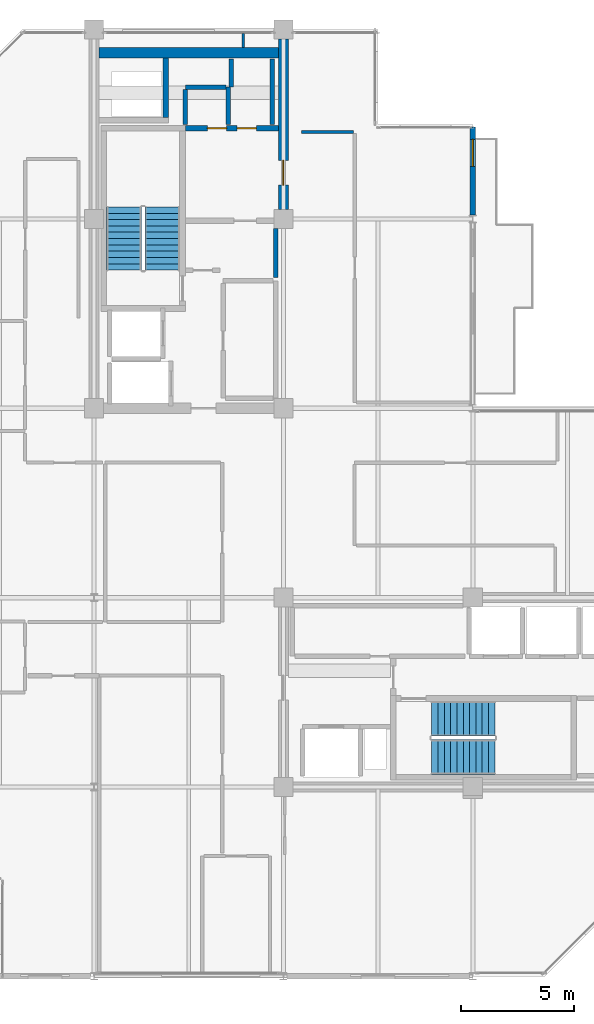
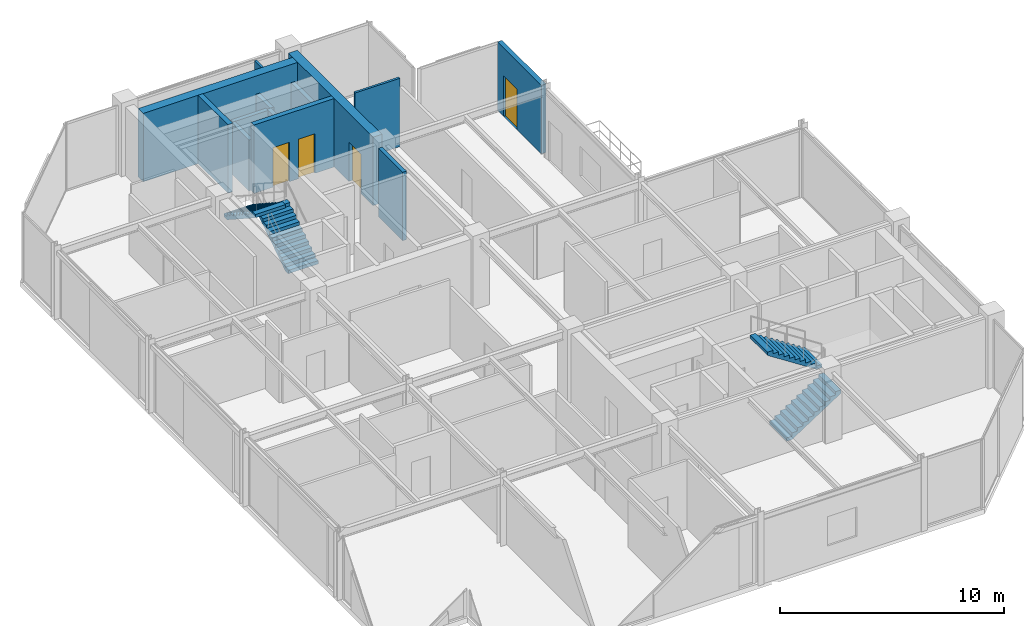
# One storey, part 22 of 24: 13 walls, 4 doors, 4 stair flights, 4 openings, 2 elements without a shape of their own.
"""IFC4 building model written with IfcOpenShell, lengths in metres."""

from ifc_helpers import new_model, si_unit, direction, frame, frame_2d, origin, place, context, subcontext, project, spatial, polyline, rectangle, outline, extrude, material, layer, layer_set, type_object, element, fill, aggregate, save


model = new_model("IFC4")

# Units and contexts
model_context = context("Model", 3, precision=1e-05, world=origin(), true_north=direction((0.0, 1.0)))
body_context = subcontext(model_context, "Body", "Model", "MODEL_VIEW")
ifc_project = project(units=[si_unit("LENGTHUNIT", "METRE"), si_unit("AREAUNIT", "SQUARE_METRE"), si_unit("VOLUMEUNIT", "CUBIC_METRE"), si_unit("PLANEANGLEUNIT", "RADIAN"), si_unit("MASSUNIT", "GRAM", prefix="KILO")], contexts=[model_context])

# Site, building, storey
site_placement = place(None, origin())
site = spatial("IfcSite", under=ifc_project, at=site_placement, CompositionType="ELEMENT")
building_placement = place(site_placement, origin())
building = spatial("IfcBuilding", under=site, at=building_placement, Name="Nerrivon Quay Data Exchange", CompositionType="ELEMENT")
storey_placement = place(building_placement, frame((0.0, 0.0, 310.199951171875)))
storey = spatial("IfcBuildingStorey", under=building, at=storey_placement, Name="L74", CompositionType="ELEMENT", Elevation=310.199951171875)

# Wall, opening, door
ifc_material_1 = material(Name="Architectural terracotta precast concrete N50 (50 MPa)", Category="masonry")
ifc_layer_1 = layer(ifc_material_1, 0.239990234375)
ifc_layer_set_1 = layer_set([ifc_layer_1], Name="Architectural terracotta precast concrete N50 (50 MPa)")
wall_type_1 = type_object("IfcWallType", Name="EW-PREC-240", PredefinedType="STANDARD", material=ifc_layer_set_1)
wall_1_placement = place(storey_placement, frame((25.199951171875, 37.679931640625, 0.0), z_axis=(0.0, 0.0, 1.0), x_axis=(0.0, -1.0, 0.0)))
wall_1 = element("IfcWall", 1, at=wall_1_placement, inside=storey, type_object=wall_type_1, Name="L74 Terrace Host Wall 19", PredefinedType="STANDARD", context=body_context, shape_type="SweptSolid", body=[
    extrude(rectangle(XDim=3.91650390625, YDim=0.239990234375, at=frame_2d((1.958251953125, 0.0))), origin(), (0.0, 0.0, 1.0), 3.72509765625),
])
opening_1_placement = place(wall_1_placement, frame((0.550048828125, 0.0, 0.0)))
opening_1 = element("IfcOpeningElement", 2, at=opening_1_placement, cuts=wall_1, Name="Opening TD1", PredefinedType="OPENING", context=body_context, shape_type="SweptSolid", body=[
    extrude(rectangle(XDim=1.199951171875, YDim=2.199951171875, at=frame_2d((0.60009765625, 1.10009765625))), frame((0.0, 0.1298828125, 0.0), z_axis=(0.0, -1.0, 0.0), x_axis=(1.0, 0.0, 0.0)), (0.0, 0.0, 1.0), 0.260009765625),
])
ifc_material_2 = material(Name="Double-glazed low-E solar control glass", Category="glass")
door_type_1 = type_object("IfcDoorType", Name="DR-TERR-1200x2200", OperationType="NOTDEFINED", PredefinedType="DOOR", material=ifc_material_2)
door_1_placement = place(opening_1_placement, origin())
door_1 = element("IfcDoor", 3, at=door_1_placement, inside=storey, type_object=door_type_1, Name="L74 Outdoor Terrace Access Door 19", OperationType="SINGLE_SWING_RIGHT", OverallHeight=2.199951171875, OverallWidth=1.199951171875, PredefinedType="DOOR", context=body_context, shape_type="SweptSolid", body=[
    extrude(rectangle(XDim=1.199951171875, YDim=2.199951171875, at=frame_2d((0.60009765625, 1.10009765625))), frame((0.0, 0.02490234375, 0.0), z_axis=(0.0, -1.0, 0.0), x_axis=(1.0, 0.0, 0.0)), (0.0, 0.0, 1.0), 0.050048828125),
])
fill(opening_1, door_1)

# Wall
ifc_material_3 = material(Name="Concrete N50 (50 MPa)", Category="concrete")
ifc_layer_2 = layer(ifc_material_3, 0.449951171875)
ifc_layer_set_2 = layer_set([ifc_layer_2], Name="Concrete N50 (50 MPa)")
wall_type_2 = type_object("IfcWallType", Name="WALL-CW-550", PredefinedType="SHEAR", material=ifc_layer_set_2)
wall_2_placement = place(storey_placement, frame((8.625, 40.97509765625, 0.0), z_axis=(0.0, 0.0, 1.0), x_axis=(1.0, 0.0, 0.0)))
element("IfcWall", 4, at=wall_2_placement, inside=storey, type_object=wall_type_2, Name="L74 West Split-Core Shear Wall WCW-N1", PredefinedType="SHEAR", context=body_context, shape_type="SweptSolid", body=[
    extrude(rectangle(XDim=7.949951171875, YDim=0.449951171875, at=frame_2d((3.97509765625, 0.0))), origin(), (0.0, 0.0, 1.0), 3.72509765625),
])

# Wall, opening, door
wall_3_placement = place(storey_placement, frame((16.800048828125, 34.02490234375, 0.0), z_axis=(0.0, 0.0, 1.0), x_axis=(0.0, 1.0, 0.0)))
wall_3 = element("IfcWall", 5, at=wall_3_placement, inside=storey, type_object=wall_type_2, Name="L74 West Split-Core Shear Wall WCW-E1", PredefinedType="SHEAR", context=body_context, shape_type="SweptSolid", body=[
    extrude(rectangle(XDim=7.550048828125, YDim=0.449951171875, at=frame_2d((3.77490234375, 0.0))), origin(), (0.0, 0.0, 1.0), 3.72509765625),
])
opening_2_placement = place(wall_3_placement, frame((1.074951171875, 0.0, 0.0)))
opening_2 = element("IfcOpeningElement", 6, at=opening_2_placement, cuts=wall_3, Name="Opening FD-120", PredefinedType="OPENING", context=body_context, shape_type="SweptSolid", body=[
    extrude(rectangle(XDim=1.10009765625, YDim=2.14990234375, at=frame_2d((0.550048828125, 1.074951171875))), frame((0.0, 0.23486328125, 0.0), z_axis=(0.0, -1.0, 0.0), x_axis=(1.0, 0.0, 0.0)), (0.0, 0.0, 1.0), 0.469970703125),
])
ifc_material_4 = material(Name="Powder-coated galvanized steel sheet", Category="steel")
door_type_2 = type_object("IfcDoorType", Name="DR-FD120-1100", OperationType="NOTDEFINED", PredefinedType="DOOR", material=ifc_material_4)
door_2_placement = place(opening_2_placement, origin())
door_2 = element("IfcDoor", 7, at=door_2_placement, inside=storey, type_object=door_type_2, Name="L74 West Core Lobby Fire Door", OperationType="SINGLE_SWING_RIGHT", OverallHeight=2.14990234375, OverallWidth=1.10009765625, PredefinedType="DOOR", context=body_context, shape_type="SweptSolid", body=[
    extrude(rectangle(XDim=1.10009765625, YDim=2.14990234375, at=frame_2d((0.550048828125, 1.074951171875))), frame((0.0, 0.02490234375, 0.0), z_axis=(0.0, -1.0, 0.0), x_axis=(1.0, 0.0, 0.0)), (0.0, 0.0, 1.0), 0.050048828125),
])
fill(opening_2, door_2)

# Walls
ifc_material_5 = material(Name="Gypsum plasterboard on cold-formed framing", Category="gypsum")
ifc_layer_3 = layer(ifc_material_5, 0.199951171875)
ifc_layer_set_3 = layer_set([ifc_layer_3], Name="Gypsum plasterboard on cold-formed framing")
wall_type_3 = type_object("IfcWallType", Name="WALL-FW-200", PredefinedType="PARTITIONING", material=ifc_layer_set_3)
wall_4_placement = place(storey_placement, frame((16.449951171875, 31.0, 0.0), z_axis=(0.0, 0.0, 1.0), x_axis=(0.0, 1.0, 0.0)))
element("IfcWall", 8, at=wall_4_placement, inside=storey, type_object=wall_type_3, Name="L74 Partition Core Equipment Closet", PredefinedType="PARTITIONING", context=body_context, shape_type="SweptSolid", body=[
    extrude(rectangle(XDim=2.169921875, YDim=0.199951171875, at=frame_2d((1.0849609375, 0.0))), origin(), (0.0, 0.0, 1.0), 3.72509765625),
])
wall_5_placement = place(storey_placement, frame((14.35009765625, 37.780029296875, 0.0), z_axis=(0.0, 0.0, 1.0), x_axis=(0.0, 1.0, 0.0)))
element("IfcWall", 9, at=wall_5_placement, inside=storey, type_object=wall_type_3, Name="L74 Partition Equipment Store", PredefinedType="PARTITIONING", context=body_context, shape_type="SweptSolid", body=[
    extrude(rectangle(XDim=1.669921875, YDim=0.199951171875, at=frame_2d((0.8349609375, 0.0))), origin(), (0.0, 0.0, 1.0), 2.775146484375),
])
wall_6_placement = place(storey_placement, frame((14.24609375, 39.449951171875, 0.0), z_axis=(0.0, 0.0, 1.0), x_axis=(-1.0, 0.0, 0.0)))
element("IfcWall", 10, at=wall_6_placement, inside=storey, type_object=wall_type_3, Name="L74 Partition Equipment Store", PredefinedType="PARTITIONING", context=body_context, shape_type="SweptSolid", body=[
    extrude(rectangle(XDim=1.796142578125, YDim=0.199951171875, at=frame_2d((0.89794921875, 0.0))), origin(), (0.0, 0.0, 1.0), 2.775146484375),
])
wall_7_placement = place(storey_placement, frame((12.449951171875, 39.345947265625, 0.0), z_axis=(0.0, 0.0, 1.0), x_axis=(0.0, -1.0, 0.0)))
element("IfcWall", 11, at=wall_7_placement, inside=storey, type_object=wall_type_3, Name="L74 Partition Equipment Store", PredefinedType="PARTITIONING", context=body_context, shape_type="SweptSolid", body=[
    extrude(rectangle(XDim=1.56591796875, YDim=0.199951171875, at=frame_2d((0.782958984375, 0.0))), origin(), (0.0, 0.0, 1.0), 2.775146484375),
])
wall_8_placement = place(storey_placement, frame((16.300048828125, 37.780029296875, 0.0), z_axis=(0.0, 0.0, 1.0), x_axis=(0.0, 1.0, 0.0)))
element("IfcWall", 12, at=wall_8_placement, inside=storey, type_object=wall_type_3, Name="L74 Partition Cleaners Store", PredefinedType="PARTITIONING", context=body_context, shape_type="SweptSolid", body=[
    extrude(rectangle(XDim=2.919921875, YDim=0.199951171875, at=frame_2d((1.4599609375, 0.0))), origin(), (0.0, 0.0, 1.0), 2.775146484375),
])
wall_9_placement = place(storey_placement, frame((14.489990234375, 40.699951171875, 0.0), z_axis=(0.0, 0.0, 1.0), x_axis=(0.0, -1.0, 0.0)))
element("IfcWall", 13, at=wall_9_placement, inside=storey, type_object=wall_type_3, Name="L74 Partition Cleaners Store", PredefinedType="PARTITIONING", context=body_context, shape_type="SweptSolid", body=[
    extrude(rectangle(XDim=1.25, YDim=0.199951171875, at=frame_2d((0.625, 0.0))), origin(), (0.0, 0.0, 1.0), 2.775146484375),
])
ifc_layer_4 = layer(ifc_material_5, 0.1201171875)
ifc_layer_set_4 = layer_set([ifc_layer_4], Name="Gypsum plasterboard on cold-formed framing")
wall_type_4 = type_object("IfcWallType", Name="WALL-PT-120", PredefinedType="PARTITIONING", material=ifc_layer_set_4)
wall_10_placement = place(storey_placement, frame((15.0234375, 41.2041015625, 0.0), z_axis=(0.0, 0.0, 1.0), x_axis=(0.0, 1.0, 0.0)))
element("IfcWall", 14, at=wall_10_placement, inside=storey, type_object=wall_type_4, Name="L74 Partition Technical Library", PredefinedType="PARTITIONING", context=body_context, shape_type="SweptSolid", body=[
    extrude(rectangle(XDim=0.626953125, YDim=0.1201171875, at=frame_2d((0.3134765625, 0.0))), origin(), (0.0, 0.0, 1.0), 3.72509765625),
])
wall_11_placement = place(storey_placement, frame((17.60009765625, 37.4599609375, 0.0), z_axis=(0.0, 0.0, 1.0), x_axis=(1.0, 0.0, 0.0)))
element("IfcWall", 15, at=wall_11_placement, inside=storey, type_object=wall_type_4, Name="L74 Partition Cloud Compute Workspace 1", PredefinedType="PARTITIONING", context=body_context, shape_type="SweptSolid", body=[
    extrude(rectangle(XDim=2.2998046875, YDim=0.1201171875, at=frame_2d((1.14990234375, 0.0))), origin(), (0.0, 0.0, 1.0), 3.72509765625),
])
ifc_layer_5 = layer(ifc_material_3, 0.25)
ifc_layer_set_5 = layer_set([ifc_layer_5], Name="Concrete N50 (50 MPa)")
wall_type_5 = type_object("IfcWallType", Name="WALL-SW-250", PredefinedType="SHEAR", material=ifc_layer_set_5)
wall_12_placement = place(storey_placement, frame((11.574951171875, 38.10009765625, 0.0), z_axis=(0.0, 0.0, 1.0), x_axis=(0.0, 1.0, 0.0)))
element("IfcWall", 16, at=wall_12_placement, inside=storey, type_object=wall_type_5, Name="L74 West Core MEP Riser Shaft Wall E", PredefinedType="SHEAR", context=body_context, shape_type="SweptSolid", body=[
    extrude(rectangle(XDim=2.64990234375, YDim=0.25, at=frame_2d((1.324951171875, 0.0))), origin(), (0.0, 0.0, 1.0), 3.72509765625),
])

# Wall, openings, doors
wall_13_placement = place(storey_placement, frame((12.449951171875, 37.625, 0.0), z_axis=(0.0, 0.0, 1.0), x_axis=(1.0, 0.0, 0.0)))
wall_13 = element("IfcWall", 17, at=wall_13_placement, inside=storey, type_object=wall_type_5, Name="L74 West Firefighting Lobby Wall", PredefinedType="SHEAR", context=body_context, shape_type="SweptSolid", body=[
    extrude(rectangle(XDim=4.125, YDim=0.25, at=frame_2d((2.0625, 0.0))), origin(), (0.0, 0.0, 1.0), 3.72509765625),
])
opening_3_placement = place(wall_13_placement, frame((0.9775390625, 0.0, 0.0)))
opening_3 = element("IfcOpeningElement", 18, at=opening_3_placement, cuts=wall_13, Name="Opening FD-60S", PredefinedType="OPENING", context=body_context, shape_type="SweptSolid", body=[
    extrude(rectangle(XDim=0.85009765625, YDim=2.14990234375, at=frame_2d((0.425048828125, 1.074951171875))), frame((0.0, 0.135009765625, 0.0), z_axis=(0.0, -1.0, 0.0), x_axis=(1.0, 0.0, 0.0)), (0.0, 0.0, 1.0), 0.27001953125),
])
opening_4_placement = place(wall_13_placement, frame((2.297607421875, 0.0, 0.0)))
opening_4 = element("IfcOpeningElement", 19, at=opening_4_placement, cuts=wall_13, Name="Opening FD-60S", PredefinedType="OPENING", context=body_context, shape_type="SweptSolid", body=[
    extrude(rectangle(XDim=0.85009765625, YDim=2.14990234375, at=frame_2d((0.425048828125, 1.074951171875))), frame((0.0, 0.135009765625, 0.0), z_axis=(0.0, -1.0, 0.0), x_axis=(1.0, 0.0, 0.0)), (0.0, 0.0, 1.0), 0.27001953125),
])
ifc_material_6 = material(Name="Engineered hardwood timber", Category="wood")
door_type_3 = type_object("IfcDoorType", Name="DR-FD60-850", OperationType="NOTDEFINED", PredefinedType="DOOR", material=ifc_material_6)
door_3_placement = place(opening_3_placement, origin())
door_3 = element("IfcDoor", 20, at=door_3_placement, inside=storey, type_object=door_type_3, Name="L74 Door Equipment Store", OperationType="SINGLE_SWING_LEFT", OverallHeight=2.14990234375, OverallWidth=0.85009765625, PredefinedType="DOOR", context=body_context, shape_type="SweptSolid", body=[
    extrude(rectangle(XDim=0.85009765625, YDim=2.14990234375, at=frame_2d((0.425048828125, 1.074951171875))), frame((0.0, 0.02490234375, 0.0), z_axis=(0.0, -1.0, 0.0), x_axis=(1.0, 0.0, 0.0)), (0.0, 0.0, 1.0), 0.050048828125),
])
fill(opening_3, door_3)
door_4_placement = place(opening_4_placement, origin())
door_4 = element("IfcDoor", 21, at=door_4_placement, inside=storey, type_object=door_type_3, Name="L74 Door Cleaners Store", OperationType="SINGLE_SWING_RIGHT", OverallHeight=2.14990234375, OverallWidth=0.85009765625, PredefinedType="DOOR", context=body_context, shape_type="SweptSolid", body=[
    extrude(rectangle(XDim=0.85009765625, YDim=2.14990234375, at=frame_2d((0.425048828125, 1.074951171875))), frame((0.0, 0.02490234375, 0.0), z_axis=(0.0, -1.0, 0.0), x_axis=(1.0, 0.0, 0.0)), (0.0, 0.0, 1.0), 0.050048828125),
])
fill(opening_4, door_4)

# Stair, stair flights
stair_type = type_object("IfcStairType", Name="STAIR-DOG-40", PredefinedType="HALF_TURN_STAIR", material=ifc_material_3)
stair_1_placement = place(storey_placement, origin())
stair_1 = element("IfcStair", 22, at=stair_1_placement, inside=storey, type_object=stair_type, Name="L74 West Core Fire Stair ST01", PredefinedType="HALF_TURN_STAIR")
stair_flight_type = type_object("IfcStairFlightType", Name="FLIGHT-DOG-40", PredefinedType="STRAIGHT", material=ifc_material_3)
stair_flight_1_placement = place(storey_placement, frame((11.425048828125, 31.330078125, 0.0), z_axis=(0.0, 0.0, 1.0), x_axis=(0.0, 1.0, 0.0)))
stair_flight_1 = element("IfcStairFlight", 23, at=stair_flight_1_placement, type_object=stair_flight_type, Name="ST01 flight 1", NumberOfRisers=11, NumberOfTreads=10, PredefinedType="STRAIGHT", RiserHeight=0.181818182, TreadLength=0.28, context=body_context, shape_type="SweptSolid", body=[
    extrude(outline(polyline([(0.0, 0.0), (0.0, 0.181884765625), (0.280029296875, 0.181884765625), (0.280029296875, 0.363525390625), (0.56005859375, 0.363525390625), (0.56005859375, 0.54541015625), (0.840087890625, 0.54541015625), (0.840087890625, 0.727294921875), (1.1201171875, 0.727294921875), (1.1201171875, 0.9091796875), (1.39990234375, 0.9091796875), (1.39990234375, 1.0908203125), (1.679931640625, 1.0908203125), (1.679931640625, 1.272705078125), (1.9599609375, 1.272705078125), (1.9599609375, 1.45458984375), (2.239990234375, 1.45458984375), (2.239990234375, 1.636474609375), (2.52001953125, 1.636474609375), (2.52001953125, 1.818115234375), (2.800048828125, 1.818115234375), (2.800048828125, 2.0), (2.800048828125, 1.639404296875), (0.275146484375, 0.0), (0.0, 0.0)])), frame((0.0, 0.77490234375, 0.0), z_axis=(0.0, -1.0, 0.0), x_axis=(1.0, 0.0, 0.0)), (0.0, 0.0, 1.0), 1.550048828125),
])
stair_flight_2_placement = place(storey_placement, frame((9.72509765625, 34.1298828125, 2.0), z_axis=(0.0, 0.0, 1.0), x_axis=(0.0, -1.0, 0.0)))
stair_flight_2 = element("IfcStairFlight", 24, at=stair_flight_2_placement, type_object=stair_flight_type, Name="ST01 flight 2", NumberOfRisers=11, NumberOfTreads=10, PredefinedType="STRAIGHT", RiserHeight=0.181818182, TreadLength=0.28, context=body_context, shape_type="SweptSolid", body=[
    extrude(outline(polyline([(0.0, 0.0), (0.0, 0.181884765625), (0.280029296875, 0.181884765625), (0.280029296875, 0.363525390625), (0.56005859375, 0.363525390625), (0.56005859375, 0.54541015625), (0.840087890625, 0.54541015625), (0.840087890625, 0.727294921875), (1.1201171875, 0.727294921875), (1.1201171875, 0.9091796875), (1.39990234375, 0.9091796875), (1.39990234375, 1.0908203125), (1.679931640625, 1.0908203125), (1.679931640625, 1.272705078125), (1.9599609375, 1.272705078125), (1.9599609375, 1.45458984375), (2.239990234375, 1.45458984375), (2.239990234375, 1.636474609375), (2.52001953125, 1.636474609375), (2.52001953125, 1.818115234375), (2.800048828125, 1.818115234375), (2.800048828125, 2.0), (2.800048828125, 1.639404296875), (0.275146484375, 0.0), (0.0, 0.0)])), frame((0.0, 0.77490234375, 0.0), z_axis=(0.0, -1.0, 0.0), x_axis=(1.0, 0.0, 0.0)), (0.0, 0.0, 1.0), 1.550048828125),
])
aggregate(stair_1, [stair_flight_1, stair_flight_2])

stair_2_placement = place(storey_placement, origin())
stair_2 = element("IfcStair", 25, at=stair_2_placement, inside=storey, type_object=stair_type, Name="L74 East Core Fire Stair ST02", PredefinedType="HALF_TURN_STAIR")
stair_flight_3_placement = place(storey_placement, frame((23.3798828125, 9.72509765625, 0.0), z_axis=(0.0, 0.0, 1.0), x_axis=(1.0, 0.0, 0.0)))
stair_flight_3 = element("IfcStairFlight", 26, at=stair_flight_3_placement, type_object=stair_flight_type, Name="ST02 flight 1", NumberOfRisers=11, NumberOfTreads=10, PredefinedType="STRAIGHT", RiserHeight=0.181818182, TreadLength=0.28, context=body_context, shape_type="SweptSolid", body=[
    extrude(outline(polyline([(0.0, 0.0), (0.0, 0.181884765625), (0.280029296875, 0.181884765625), (0.280029296875, 0.363525390625), (0.56005859375, 0.363525390625), (0.56005859375, 0.54541015625), (0.840087890625, 0.54541015625), (0.840087890625, 0.727294921875), (1.1201171875, 0.727294921875), (1.1201171875, 0.9091796875), (1.39990234375, 0.9091796875), (1.39990234375, 1.0908203125), (1.679931640625, 1.0908203125), (1.679931640625, 1.272705078125), (1.9599609375, 1.272705078125), (1.9599609375, 1.45458984375), (2.239990234375, 1.45458984375), (2.239990234375, 1.636474609375), (2.52001953125, 1.636474609375), (2.52001953125, 1.818115234375), (2.800048828125, 1.818115234375), (2.800048828125, 2.0), (2.800048828125, 1.639404296875), (0.275146484375, 0.0), (0.0, 0.0)])), frame((0.0, 0.77490234375, 0.0), z_axis=(0.0, -1.0, 0.0), x_axis=(1.0, 0.0, 0.0)), (0.0, 0.0, 1.0), 1.550048828125),
])
stair_flight_4_placement = place(storey_placement, frame((26.179931640625, 11.425048828125, 2.0), z_axis=(0.0, 0.0, 1.0), x_axis=(-1.0, 0.0, 0.0)))
stair_flight_4 = element("IfcStairFlight", 27, at=stair_flight_4_placement, type_object=stair_flight_type, Name="ST02 flight 2", NumberOfRisers=11, NumberOfTreads=10, PredefinedType="STRAIGHT", RiserHeight=0.181818182, TreadLength=0.28, context=body_context, shape_type="SweptSolid", body=[
    extrude(outline(polyline([(0.0, 0.0), (0.0, 0.181884765625), (0.280029296875, 0.181884765625), (0.280029296875, 0.363525390625), (0.56005859375, 0.363525390625), (0.56005859375, 0.54541015625), (0.840087890625, 0.54541015625), (0.840087890625, 0.727294921875), (1.1201171875, 0.727294921875), (1.1201171875, 0.9091796875), (1.39990234375, 0.9091796875), (1.39990234375, 1.0908203125), (1.679931640625, 1.0908203125), (1.679931640625, 1.272705078125), (1.9599609375, 1.272705078125), (1.9599609375, 1.45458984375), (2.239990234375, 1.45458984375), (2.239990234375, 1.636474609375), (2.52001953125, 1.636474609375), (2.52001953125, 1.818115234375), (2.800048828125, 1.818115234375), (2.800048828125, 2.0), (2.800048828125, 1.639404296875), (0.275146484375, 0.0), (0.0, 0.0)])), frame((0.0, 0.77490234375, 0.0), z_axis=(0.0, -1.0, 0.0), x_axis=(1.0, 0.0, 0.0)), (0.0, 0.0, 1.0), 1.550048828125),
])
aggregate(stair_2, [stair_flight_3, stair_flight_4])

save(model, "model.ifc")
